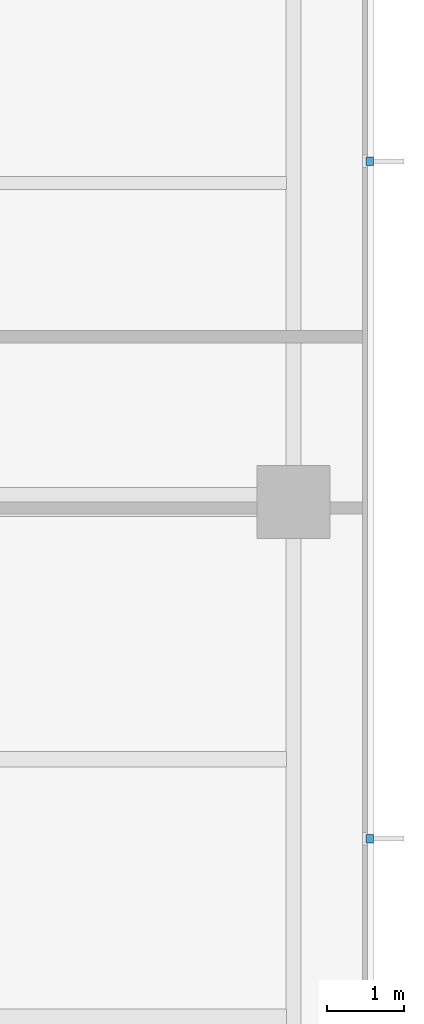
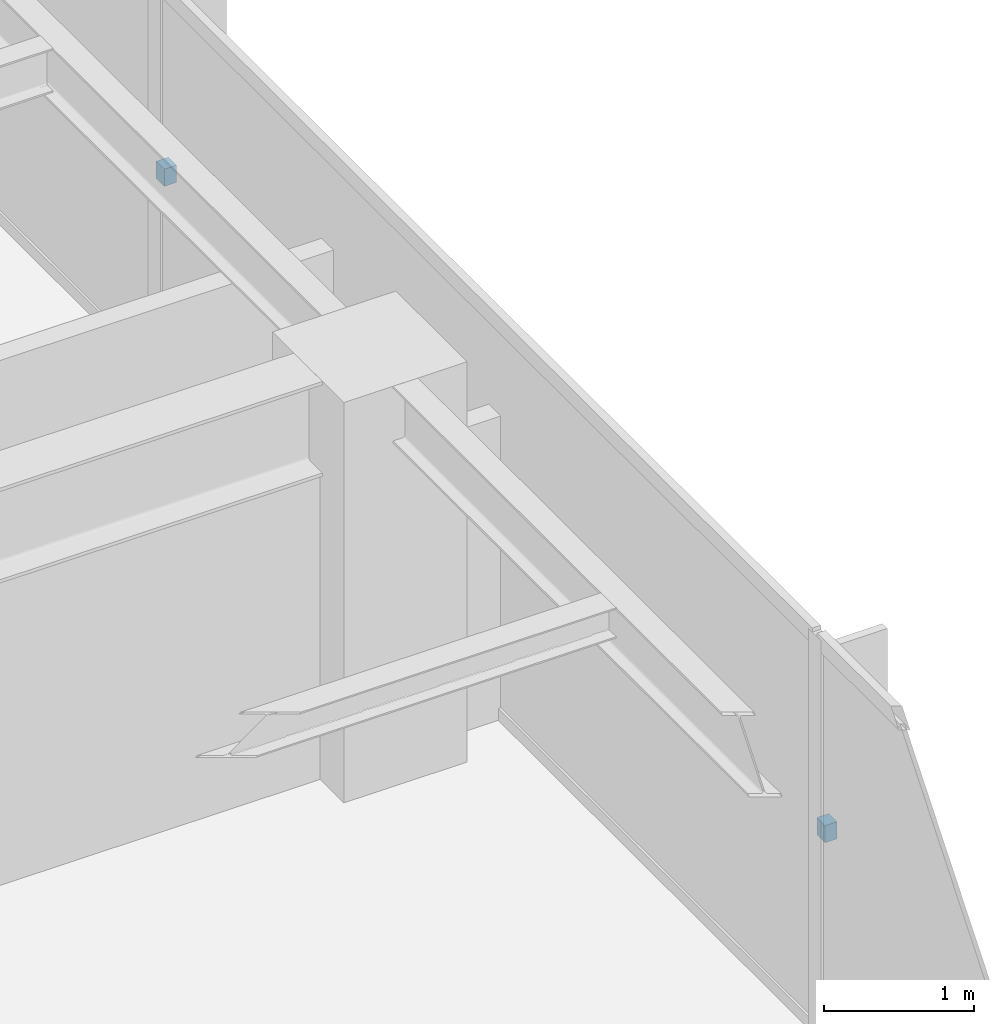
# One storey, part 12 of 15: 2 discrete accessories.
"""IFC4 building model written with IfcOpenShell, lengths in metres."""

from ifc_helpers import new_model, si_unit, direction, frame, origin, place, context, subcontext, project, spatial, polyline, outline, extrude, material, type_object, element, save


model = new_model("IFC4")

# Units and contexts
model_context = context("Model", 3, precision=1e-05, world=origin(), true_north=direction((0.0, 1.0)))
body_context = subcontext(model_context, "Body", "Model", "MODEL_VIEW")
ifc_project = project(units=[si_unit("LENGTHUNIT", "METRE"), si_unit("AREAUNIT", "SQUARE_METRE"), si_unit("VOLUMEUNIT", "CUBIC_METRE"), si_unit("PLANEANGLEUNIT", "RADIAN"), si_unit("MASSUNIT", "GRAM", prefix="KILO")], contexts=[model_context])

# Site, building, storey
site_placement = place(None, origin())
site = spatial("IfcSite", under=ifc_project, at=site_placement, CompositionType="ELEMENT")
building_placement = place(site_placement, origin())
building = spatial("IfcBuilding", under=site, at=building_placement, Name="Qalmaran Belvedere Hotel", CompositionType="ELEMENT")
storey_placement = place(building_placement, frame((0.0, 0.0, 221.39990234375)))
storey = spatial("IfcBuildingStorey", under=building, at=storey_placement, Name="L56", CompositionType="ELEMENT", Elevation=221.39990234375)

# Discrete accessories
ifc_material = material(Name="Stainless Steel 1.4401", Category="steel")
discrete_accessory_type = type_object("IfcDiscreteAccessoryType", Name="BRK-FIN-SS316", PredefinedType="BRACKET", material=ifc_material)
discrete_accessory_1_placement = place(storey_placement, frame((0.0, 0.0, 1.580078125)))
element("IfcDiscreteAccessory", 1, at=discrete_accessory_1_placement, inside=storey, type_object=discrete_accessory_type, Name="L56 Fin Bracket 1", PredefinedType="BRACKET", context=body_context, shape_type="SweptSolid", body=[
    extrude(outline(polyline([(53.4951171875, 16.061767578125), (53.58740234375, 16.061767578125), (53.58740234375, 16.171630859375), (53.4951171875, 16.171630859375), (53.4951171875, 16.061767578125)])), origin(), (0.0, 0.0, 1.0), 0.14013671875),
])
discrete_accessory_2_placement = place(storey_placement, frame((0.0, 0.0, 1.580078125)))
element("IfcDiscreteAccessory", 2, at=discrete_accessory_2_placement, inside=storey, type_object=discrete_accessory_type, Name="L56 Fin Bracket 2", PredefinedType="BRACKET", context=body_context, shape_type="SweptSolid", body=[
    extrude(outline(polyline([(53.4951171875, 24.87841796875), (53.58740234375, 24.87841796875), (53.58740234375, 24.98828125), (53.4951171875, 24.98828125), (53.4951171875, 24.87841796875)])), origin(), (0.0, 0.0, 1.0), 0.14013671875),
])

save(model, "model.ifc")
